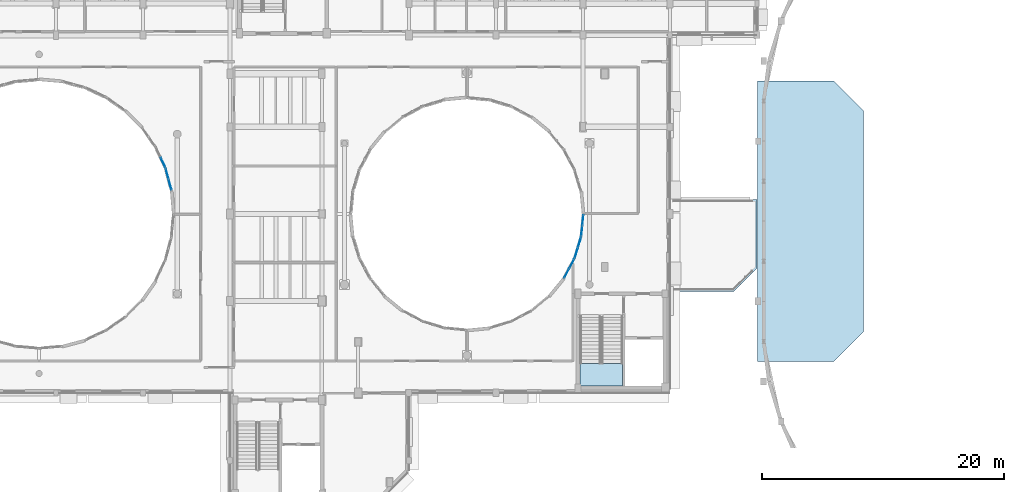
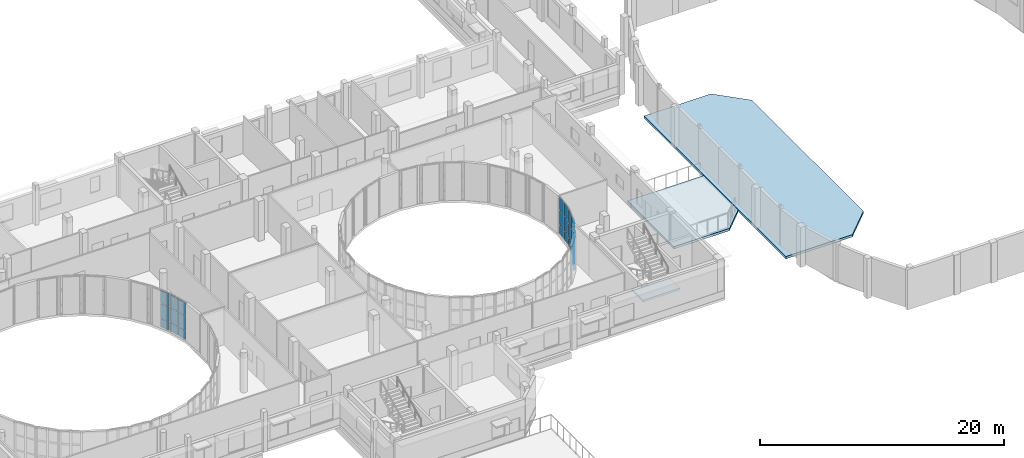
# One storey, part 60 of 89: 27 plates, 3 slabs, 6 elements without a shape of their own.
"""IFC4 building model written with IfcOpenShell, lengths in metres."""

from ifc_helpers import new_model, si_unit, direction, frame, origin, origin_2d, place, context, subcontext, project, spatial, polyline, rectangle, outline, extrude, material, layer, layer_set, type_object, element, aggregate, save


model = new_model("IFC4")

# Units and contexts
model_context = context("Model", 3, precision=1e-05, world=origin(), true_north=direction((0.0, 1.0)))
body_context = subcontext(model_context, "Body", "Model", "MODEL_VIEW")
ifc_project = project(units=[si_unit("LENGTHUNIT", "METRE"), si_unit("AREAUNIT", "SQUARE_METRE"), si_unit("VOLUMEUNIT", "CUBIC_METRE"), si_unit("PLANEANGLEUNIT", "RADIAN"), si_unit("MASSUNIT", "GRAM", prefix="KILO")], contexts=[model_context])

# Site, building, storey
site_placement = place(None, origin())
site = spatial("IfcSite", under=ifc_project, at=site_placement, CompositionType="ELEMENT")
building_placement = place(site_placement, origin())
building = spatial("IfcBuilding", under=site, at=building_placement, Name="Kelanivale Promenade Academy", CompositionType="ELEMENT")
storey_placement = place(building_placement, frame((0.0, 0.0, 12.199951171875)))
storey = spatial("IfcBuildingStorey", under=building, at=storey_placement, Name="L03", CompositionType="ELEMENT", Elevation=12.199951171875)

# Curtain wall, plates
ifc_material_1 = material(Name="Bronze anodised aluminium and solar-control low-E glass", Category="aluminium")
ifc_layer_1 = layer(ifc_material_1, 0.169921875)
ifc_layer_set_1 = layer_set([ifc_layer_1], Name="Bronze anodised aluminium and solar-control low-E glass")
curtain_wall_type_1 = type_object("IfcCurtainWallType", Name="CW-10 Curtain Wall 1800mm Module", PredefinedType="USERDEFINED", material=ifc_layer_set_1)
curtain_wall_1_placement = place(storey_placement, origin())
curtain_wall_1 = element("IfcCurtainWall", 1, at=curtain_wall_1_placement, inside=storey, type_object=curtain_wall_type_1, Name="L03 courtyard curtain wall CW-10", ObjectType="UNITISED GLAZING", PredefinedType="USERDEFINED")
ifc_material_2 = material(Name="Solar-control double glazing 28 mm", Category="glass")
ifc_layer_2 = layer(ifc_material_2, 0.028076171875)
ifc_layer_set_2 = layer_set([ifc_layer_2], Name="Solar-control double glazing 28 mm")
plate_type_1 = type_object("IfcPlateType", Name="CWP-01 Plate 28mm", PredefinedType="CURTAIN_PANEL", material=ifc_layer_set_2)
plate_1_placement = place(storey_placement, frame((108.302978515625, 55.407470703125, 0.05029296875), z_axis=(0.0, 0.0, 1.0), x_axis=(0.098538762159, 0.99513321337, 0.0)))
plate_1 = element("IfcPlate", 2, at=plate_1_placement, type_object=plate_type_1, Name="CW-10 panel 1.1", PredefinedType="CURTAIN_PANEL", context=body_context, shape_type="SweptSolid", body=[
    extrude(rectangle(XDim=0.83349609375, YDim=0.028076171875, at=origin_2d()), origin(), (0.0, 0.0, 1.0), 0.824951171875),
])
plate_2_placement = place(storey_placement, frame((108.302978515625, 55.407470703125, 0.92529296875), z_axis=(0.0, 0.0, 1.0), x_axis=(0.098538762159, 0.99513321337, 0.0)))
plate_2 = element("IfcPlate", 3, at=plate_2_placement, type_object=plate_type_1, Name="CW-10 panel 1.2", PredefinedType="CURTAIN_PANEL", context=body_context, shape_type="SweptSolid", body=[
    extrude(rectangle(XDim=0.83349609375, YDim=0.028076171875, at=origin_2d()), origin(), (0.0, 0.0, 1.0), 1.449951171875),
])
plate_3_placement = place(storey_placement, frame((108.302978515625, 55.407470703125, 2.42529296875), z_axis=(0.0, 0.0, 1.0), x_axis=(0.098538762159, 0.99513321337, 0.0)))
plate_3 = element("IfcPlate", 4, at=plate_3_placement, type_object=plate_type_1, Name="CW-10 panel 1.3", PredefinedType="CURTAIN_PANEL", context=body_context, shape_type="SweptSolid", body=[
    extrude(rectangle(XDim=0.83349609375, YDim=0.028076171875, at=origin_2d()), origin(), (0.0, 0.0, 1.0), 1.304931640625),
])
plate_4_placement = place(storey_placement, frame((108.39111328125, 56.296630859375, 0.05029296875), z_axis=(0.0, 0.0, 1.0), x_axis=(0.098538762159, 0.99513321337, 0.0)))
plate_4 = element("IfcPlate", 5, at=plate_4_placement, type_object=plate_type_1, Name="CW-10 panel 2.1", PredefinedType="CURTAIN_PANEL", context=body_context, shape_type="SweptSolid", body=[
    extrude(rectangle(XDim=0.83349609375, YDim=0.028076171875, at=origin_2d()), origin(), (0.0, 0.0, 1.0), 0.824951171875),
])
plate_5_placement = place(storey_placement, frame((108.39111328125, 56.296630859375, 0.92529296875), z_axis=(0.0, 0.0, 1.0), x_axis=(0.098538762159, 0.99513321337, 0.0)))
plate_5 = element("IfcPlate", 6, at=plate_5_placement, type_object=plate_type_1, Name="CW-10 panel 2.2", PredefinedType="CURTAIN_PANEL", context=body_context, shape_type="SweptSolid", body=[
    extrude(rectangle(XDim=0.83349609375, YDim=0.028076171875, at=origin_2d()), origin(), (0.0, 0.0, 1.0), 1.449951171875),
])
plate_6_placement = place(storey_placement, frame((108.39111328125, 56.296630859375, 2.42529296875), z_axis=(0.0, 0.0, 1.0), x_axis=(0.098538762159, 0.99513321337, 0.0)))
plate_6 = element("IfcPlate", 7, at=plate_6_placement, type_object=plate_type_1, Name="CW-10 panel 2.3", PredefinedType="CURTAIN_PANEL", context=body_context, shape_type="SweptSolid", body=[
    extrude(rectangle(XDim=0.83349609375, YDim=0.028076171875, at=origin_2d()), origin(), (0.0, 0.0, 1.0), 1.304931640625),
])
aggregate(curtain_wall_1, [plate_1, plate_2, plate_3, plate_4, plate_5, plate_6])

ifc_layer_3 = layer(ifc_material_1, 0.179931640625)
ifc_layer_set_3 = layer_set([ifc_layer_3], Name="Bronze anodised aluminium and solar-control low-E glass")
curtain_wall_type_2 = type_object("IfcCurtainWallType", Name="CW-08 Curtain Wall 1500mm Module", PredefinedType="USERDEFINED", material=ifc_layer_set_3)
curtain_wall_2_placement = place(storey_placement, origin())
curtain_wall_2 = element("IfcCurtainWall", 8, at=curtain_wall_2_placement, inside=storey, type_object=curtain_wall_type_2, Name="L03 courtyard curtain wall CW-08", ObjectType="UNITISED GLAZING", PredefinedType="USERDEFINED")
ifc_material_3 = material(Name="Acoustic laminated double glazing 36 mm", Category="glass")
ifc_layer_4 = layer(ifc_material_3, 0.035888671875)
ifc_layer_set_4 = layer_set([ifc_layer_4], Name="Acoustic laminated double glazing 36 mm")
plate_type_2 = type_object("IfcPlateType", Name="CWP-02 Plate 36mm", PredefinedType="CURTAIN_PANEL", material=ifc_layer_set_4)
plate_7_placement = place(storey_placement, frame((107.054443359375, 51.890869140625, 0.06005859375), z_axis=(0.0, 0.0, 1.0), x_axis=(0.471290193914, 0.881978204448, 0.0)))
plate_7 = element("IfcPlate", 9, at=plate_7_placement, type_object=plate_type_2, Name="CW-08 panel 1.1", PredefinedType="CURTAIN_PANEL", context=body_context, shape_type="SweptSolid", body=[
    extrude(rectangle(XDim=0.82666015625, YDim=0.035888671875, at=origin_2d()), origin(), (0.0, 0.0, 1.0), 0.81005859375),
])
plate_8_placement = place(storey_placement, frame((107.054443359375, 51.890869140625, 0.93017578125), z_axis=(0.0, 0.0, 1.0), x_axis=(0.471290193914, 0.881978204448, 0.0)))
plate_8 = element("IfcPlate", 10, at=plate_8_placement, type_object=plate_type_2, Name="CW-08 panel 1.2", PredefinedType="CURTAIN_PANEL", context=body_context, shape_type="SweptSolid", body=[
    extrude(rectangle(XDim=0.82666015625, YDim=0.035888671875, at=origin_2d()), origin(), (0.0, 0.0, 1.0), 1.43994140625),
])
plate_9_placement = place(storey_placement, frame((107.054443359375, 51.890869140625, 2.429931640625), z_axis=(0.0, 0.0, 1.0), x_axis=(0.471290193914, 0.881978204448, 0.0)))
plate_9 = element("IfcPlate", 11, at=plate_9_placement, type_object=plate_type_2, Name="CW-08 panel 1.3", PredefinedType="CURTAIN_PANEL", context=body_context, shape_type="SweptSolid", body=[
    extrude(rectangle(XDim=0.82666015625, YDim=0.035888671875, at=origin_2d()), origin(), (0.0, 0.0, 1.0), 1.2900390625),
])
plate_10_placement = place(storey_placement, frame((107.474609375, 52.67724609375, 0.06005859375), z_axis=(0.0, 0.0, 1.0), x_axis=(0.471290193914, 0.881978204448, 0.0)))
plate_10 = element("IfcPlate", 12, at=plate_10_placement, type_object=plate_type_2, Name="CW-08 panel 2.1", PredefinedType="CURTAIN_PANEL", context=body_context, shape_type="SweptSolid", body=[
    extrude(rectangle(XDim=0.82666015625, YDim=0.035888671875, at=origin_2d()), origin(), (0.0, 0.0, 1.0), 0.81005859375),
])
plate_11_placement = place(storey_placement, frame((107.474609375, 52.67724609375, 0.93017578125), z_axis=(0.0, 0.0, 1.0), x_axis=(0.471290193914, 0.881978204448, 0.0)))
plate_11 = element("IfcPlate", 13, at=plate_11_placement, type_object=plate_type_2, Name="CW-08 panel 2.2", PredefinedType="CURTAIN_PANEL", context=body_context, shape_type="SweptSolid", body=[
    extrude(rectangle(XDim=0.82666015625, YDim=0.035888671875, at=origin_2d()), origin(), (0.0, 0.0, 1.0), 1.43994140625),
])
plate_12_placement = place(storey_placement, frame((107.474609375, 52.67724609375, 2.429931640625), z_axis=(0.0, 0.0, 1.0), x_axis=(0.471290193914, 0.881978204448, 0.0)))
plate_12 = element("IfcPlate", 14, at=plate_12_placement, type_object=plate_type_2, Name="CW-08 panel 2.3", PredefinedType="CURTAIN_PANEL", context=body_context, shape_type="SweptSolid", body=[
    extrude(rectangle(XDim=0.82666015625, YDim=0.035888671875, at=origin_2d()), origin(), (0.0, 0.0, 1.0), 1.2900390625),
])
aggregate(curtain_wall_2, [plate_7, plate_8, plate_9, plate_10, plate_11, plate_12])

ifc_layer_5 = layer(ifc_material_1, 0.179931640625)
ifc_layer_set_5 = layer_set([ifc_layer_5], Name="Bronze anodised aluminium and solar-control low-E glass")
curtain_wall_type_3 = type_object("IfcCurtainWallType", Name="CW-11 Curtain Wall 1950mm Module", PredefinedType="USERDEFINED", material=ifc_layer_set_5)
curtain_wall_3_placement = place(storey_placement, origin())
curtain_wall_3 = element("IfcCurtainWall", 15, at=curtain_wall_3_placement, inside=storey, type_object=curtain_wall_type_3, Name="L03 courtyard curtain wall CW-11", ObjectType="UNITISED GLAZING", PredefinedType="USERDEFINED")
plate_13_placement = place(storey_placement, frame((74.23681640625, 59.235107421875, 0.05029296875), z_axis=(0.0, 0.0, 1.0), x_axis=(-0.258578458902, 0.965990259056, 0.0)))
plate_13 = element("IfcPlate", 16, at=plate_13_placement, type_object=plate_type_2, Name="CW-11 panel 1.1", PredefinedType="CURTAIN_PANEL", context=body_context, shape_type="SweptSolid", body=[
    extrude(rectangle(XDim=0.853759765625, YDim=0.035888671875, at=origin_2d()), origin(), (0.0, 0.0, 1.0), 0.824951171875),
])
plate_14_placement = place(storey_placement, frame((74.23681640625, 59.235107421875, 0.92529296875), z_axis=(0.0, 0.0, 1.0), x_axis=(-0.258578458902, 0.965990259056, 0.0)))
plate_14 = element("IfcPlate", 17, at=plate_14_placement, type_object=plate_type_2, Name="CW-11 panel 1.2", PredefinedType="CURTAIN_PANEL", context=body_context, shape_type="SweptSolid", body=[
    extrude(rectangle(XDim=0.853759765625, YDim=0.035888671875, at=origin_2d()), origin(), (0.0, 0.0, 1.0), 1.449951171875),
])
plate_15_placement = place(storey_placement, frame((74.23681640625, 59.235107421875, 2.42529296875), z_axis=(0.0, 0.0, 1.0), x_axis=(-0.258578458902, 0.965990259056, 0.0)))
plate_15 = element("IfcPlate", 18, at=plate_15_placement, type_object=plate_type_2, Name="CW-11 panel 1.3", PredefinedType="CURTAIN_PANEL", context=body_context, shape_type="SweptSolid", body=[
    extrude(rectangle(XDim=0.853759765625, YDim=0.035888671875, at=origin_2d()), origin(), (0.0, 0.0, 1.0), 1.304931640625),
])
plate_16_placement = place(storey_placement, frame((73.999267578125, 60.122802734375, 0.05029296875), z_axis=(0.0, 0.0, 1.0), x_axis=(-0.258578458902, 0.965990259056, 0.0)))
plate_16 = element("IfcPlate", 19, at=plate_16_placement, type_object=plate_type_2, Name="CW-11 panel 2.1", PredefinedType="CURTAIN_PANEL", context=body_context, shape_type="SweptSolid", body=[
    extrude(rectangle(XDim=0.853759765625, YDim=0.035888671875, at=origin_2d()), origin(), (0.0, 0.0, 1.0), 0.824951171875),
])
plate_17_placement = place(storey_placement, frame((73.999267578125, 60.122802734375, 0.92529296875), z_axis=(0.0, 0.0, 1.0), x_axis=(-0.258578458902, 0.965990259056, 0.0)))
plate_17 = element("IfcPlate", 20, at=plate_17_placement, type_object=plate_type_2, Name="CW-11 panel 2.2", PredefinedType="CURTAIN_PANEL", context=body_context, shape_type="SweptSolid", body=[
    extrude(rectangle(XDim=0.853759765625, YDim=0.035888671875, at=origin_2d()), origin(), (0.0, 0.0, 1.0), 1.449951171875),
])
plate_18_placement = place(storey_placement, frame((73.999267578125, 60.122802734375, 2.42529296875), z_axis=(0.0, 0.0, 1.0), x_axis=(-0.258578458902, 0.965990259056, 0.0)))
plate_18 = element("IfcPlate", 21, at=plate_18_placement, type_object=plate_type_2, Name="CW-11 panel 2.3", PredefinedType="CURTAIN_PANEL", context=body_context, shape_type="SweptSolid", body=[
    extrude(rectangle(XDim=0.853759765625, YDim=0.035888671875, at=origin_2d()), origin(), (0.0, 0.0, 1.0), 1.304931640625),
])
aggregate(curtain_wall_3, [plate_13, plate_14, plate_15, plate_16, plate_17, plate_18])

ifc_layer_6 = layer(ifc_material_1, 0.159912109375)
ifc_layer_set_6 = layer_set([ifc_layer_6], Name="Bronze anodised aluminium and solar-control low-E glass")
curtain_wall_type_4 = type_object("IfcCurtainWallType", Name="CW-09 Curtain Wall 1650mm Module", PredefinedType="USERDEFINED", material=ifc_layer_set_6)
curtain_wall_4_placement = place(storey_placement, origin())
curtain_wall_4 = element("IfcCurtainWall", 22, at=curtain_wall_4_placement, inside=storey, type_object=curtain_wall_type_4, Name="L03 courtyard curtain wall CW-09", ObjectType="UNITISED GLAZING", PredefinedType="USERDEFINED")
ifc_material_4 = material(Name="Insulated bronze aluminium spandrel panel 44 mm", Category="aluminium")
ifc_layer_7 = layer(ifc_material_4, 0.0439453125)
ifc_layer_set_7 = layer_set([ifc_layer_7], Name="Insulated bronze aluminium spandrel panel 44 mm")
plate_type_3 = type_object("IfcPlateType", Name="CWP-03 Plate 44mm", PredefinedType="CURTAIN_PANEL", material=ifc_layer_set_7)
plate_19_placement = place(storey_placement, frame((107.850341796875, 53.583740234375, 0.05029296875), z_axis=(0.0, 0.0, 1.0), x_axis=(0.290007395287, 0.957024404432, 0.0)))
plate_19 = element("IfcPlate", 23, at=plate_19_placement, type_object=plate_type_3, Name="CW-09 panel 1.1", PredefinedType="CURTAIN_PANEL", context=body_context, shape_type="SweptSolid", body=[
    extrude(rectangle(XDim=0.841064453125, YDim=0.0439453125, at=origin_2d()), origin(), (0.0, 0.0, 1.0), 0.824951171875),
])
plate_20_placement = place(storey_placement, frame((107.850341796875, 53.583740234375, 0.92529296875), z_axis=(0.0, 0.0, 1.0), x_axis=(0.290007395287, 0.957024404432, 0.0)))
plate_20 = element("IfcPlate", 24, at=plate_20_placement, type_object=plate_type_3, Name="CW-09 panel 1.2", PredefinedType="CURTAIN_PANEL", context=body_context, shape_type="SweptSolid", body=[
    extrude(rectangle(XDim=0.841064453125, YDim=0.0439453125, at=origin_2d()), origin(), (0.0, 0.0, 1.0), 1.449951171875),
])
plate_21_placement = place(storey_placement, frame((107.850341796875, 53.583740234375, 2.42529296875), z_axis=(0.0, 0.0, 1.0), x_axis=(0.290007395287, 0.957024404432, 0.0)))
plate_21 = element("IfcPlate", 25, at=plate_21_placement, type_object=plate_type_3, Name="CW-09 panel 1.3", PredefinedType="CURTAIN_PANEL", context=body_context, shape_type="SweptSolid", body=[
    extrude(rectangle(XDim=0.841064453125, YDim=0.0439453125, at=origin_2d()), origin(), (0.0, 0.0, 1.0), 1.304931640625),
])
plate_22_placement = place(storey_placement, frame((108.111572265625, 54.446044921875, 0.05029296875), z_axis=(0.0, 0.0, 1.0), x_axis=(0.290007395287, 0.957024404432, 0.0)))
plate_22 = element("IfcPlate", 26, at=plate_22_placement, type_object=plate_type_3, Name="CW-09 panel 2.1", PredefinedType="CURTAIN_PANEL", context=body_context, shape_type="SweptSolid", body=[
    extrude(rectangle(XDim=0.841064453125, YDim=0.0439453125, at=origin_2d()), origin(), (0.0, 0.0, 1.0), 0.824951171875),
])
plate_23_placement = place(storey_placement, frame((108.111572265625, 54.446044921875, 0.92529296875), z_axis=(0.0, 0.0, 1.0), x_axis=(0.290007395287, 0.957024404432, 0.0)))
plate_23 = element("IfcPlate", 27, at=plate_23_placement, type_object=plate_type_3, Name="CW-09 panel 2.2", PredefinedType="CURTAIN_PANEL", context=body_context, shape_type="SweptSolid", body=[
    extrude(rectangle(XDim=0.841064453125, YDim=0.0439453125, at=origin_2d()), origin(), (0.0, 0.0, 1.0), 1.449951171875),
])
plate_24_placement = place(storey_placement, frame((108.111572265625, 54.446044921875, 2.42529296875), z_axis=(0.0, 0.0, 1.0), x_axis=(0.290007395287, 0.957024404432, 0.0)))
plate_24 = element("IfcPlate", 28, at=plate_24_placement, type_object=plate_type_3, Name="CW-09 panel 2.3", PredefinedType="CURTAIN_PANEL", context=body_context, shape_type="SweptSolid", body=[
    extrude(rectangle(XDim=0.841064453125, YDim=0.0439453125, at=origin_2d()), origin(), (0.0, 0.0, 1.0), 1.304931640625),
])
aggregate(curtain_wall_4, [plate_19, plate_20, plate_21, plate_22, plate_23, plate_24])

ifc_layer_8 = layer(ifc_material_1, 0.159912109375)
ifc_layer_set_8 = layer_set([ifc_layer_8], Name="Bronze anodised aluminium and solar-control low-E glass")
curtain_wall_type_5 = type_object("IfcCurtainWallType", Name="CW-12 Curtain Wall 1200mm Module", PredefinedType="USERDEFINED", material=ifc_layer_set_8)
curtain_wall_5_placement = place(storey_placement, origin())
curtain_wall_5 = element("IfcCurtainWall", 29, at=curtain_wall_5_placement, inside=storey, type_object=curtain_wall_type_5, Name="L03 courtyard curtain wall CW-12", ObjectType="UNITISED GLAZING", PredefinedType="USERDEFINED")
plate_25_placement = place(storey_placement, frame((73.654296875, 61.0703125, 0.06005859375), z_axis=(0.0, 0.0, 1.0), x_axis=(-0.422856921222, 0.906196460032, 0.0)))
plate_25 = element("IfcPlate", 30, at=plate_25_placement, type_object=plate_type_3, Name="CW-12 panel 1.1", PredefinedType="CURTAIN_PANEL", context=body_context, shape_type="SweptSolid", body=[
    extrude(rectangle(XDim=0.861572265625, YDim=0.0439453125, at=origin_2d()), origin(), (0.0, 0.0, 1.0), 0.81005859375),
])
plate_26_placement = place(storey_placement, frame((73.654296875, 61.0703125, 0.93017578125), z_axis=(0.0, 0.0, 1.0), x_axis=(-0.422856921222, 0.906196460032, 0.0)))
plate_26 = element("IfcPlate", 31, at=plate_26_placement, type_object=plate_type_3, Name="CW-12 panel 1.2", PredefinedType="CURTAIN_PANEL", context=body_context, shape_type="SweptSolid", body=[
    extrude(rectangle(XDim=0.861572265625, YDim=0.0439453125, at=origin_2d()), origin(), (0.0, 0.0, 1.0), 1.43994140625),
])
plate_27_placement = place(storey_placement, frame((73.654296875, 61.0703125, 2.429931640625), z_axis=(0.0, 0.0, 1.0), x_axis=(-0.422856921222, 0.906196460032, 0.0)))
plate_27 = element("IfcPlate", 32, at=plate_27_placement, type_object=plate_type_3, Name="CW-12 panel 1.3", PredefinedType="CURTAIN_PANEL", context=body_context, shape_type="SweptSolid", body=[
    extrude(rectangle(XDim=0.861572265625, YDim=0.0439453125, at=origin_2d()), origin(), (0.0, 0.0, 1.0), 1.2900390625),
])
aggregate(curtain_wall_5, [plate_25, plate_26, plate_27])

# Stair, slab
ifc_material_5 = material(Name="Concrete C35/45", Category="concrete")
stair_type = type_object("IfcStairType", Name="ST-T02 Protected dog-leg upper-storey stair", PredefinedType="HALF_TURN_STAIR", material=ifc_material_5)
stair_placement = place(storey_placement, origin())
stair = element("IfcStair", 33, at=stair_placement, inside=storey, type_object=stair_type, Name="L03 ST-03", PredefinedType="HALF_TURN_STAIR")
ifc_layer_9 = layer(ifc_material_5, 0.199951171875)
ifc_layer_set_9 = layer_set([ifc_layer_9], Name="Concrete C35/45")
slab_type_1 = type_object("IfcSlabType", Name="LS-01 Slab 200mm", PredefinedType="LANDING", material=ifc_layer_set_9)
slab_1_placement = place(storey_placement, frame((0.0, 0.0, 1.800048828125)))
slab_1 = element("IfcSlab", 34, at=slab_1_placement, type_object=slab_type_1, Name="ST-03 landing 1", PredefinedType="LANDING", context=body_context, shape_type="SweptSolid", body=[
    extrude(outline(polyline([(108.1650390625, 44.445068359375), (108.1650390625, 42.56494140625), (111.6650390625, 42.56494140625), (111.6650390625, 44.445068359375), (108.1650390625, 44.445068359375)])), origin(), (0.0, 0.0, 1.0), 0.199951171875),
])
aggregate(stair, [slab_1])

# Slabs
ifc_layer_10 = layer(ifc_material_5, 0.235107421875)
ifc_layer_set_10 = layer_set([ifc_layer_10], Name="Concrete C35/45")
slab_type_2 = type_object("IfcSlabType", Name="PD-01 Slab 235mm", PredefinedType="FLOOR", material=ifc_layer_set_10)
slab_2_placement = place(storey_placement, frame((0.0, 0.0, -0.23486328125)))
element("IfcSlab", 35, at=slab_2_placement, inside=storey, type_object=slab_type_2, Name="Assembly Hall Shoulder Observation Deck", PredefinedType="FLOOR", context=body_context, shape_type="SweptSolid", body=[
    extrude(outline(polyline([(120.87109375, 50.39990234375), (122.800048828125, 52.3291015625), (122.800048828125, 58.0), (115.60009765625, 58.0), (115.60009765625, 50.39990234375), (120.87109375, 50.39990234375)])), origin(), (0.0, 0.0, 1.0), 0.23486328125),
])
ifc_layer_11 = layer(ifc_material_5, 0.239990234375)
ifc_layer_set_11 = layer_set([ifc_layer_11], Name="Concrete C35/45")
slab_type_3 = type_object("IfcSlabType", Name="RS-01 Slab 240mm", PredefinedType="ROOF", material=ifc_layer_set_11)
slab_3_placement = place(storey_placement, frame((0.0, 0.0, -0.239990234375)))
element("IfcSlab", 36, at=slab_3_placement, inside=storey, type_object=slab_type_3, Name="L03 planted roof slab RF-L03-GAL2", PredefinedType="ROOF", context=body_context, shape_type="SweptSolid", body=[
    extrude(outline(polyline([(129.14990234375, 44.60009765625), (131.60009765625, 47.050048828125), (131.60009765625, 65.35009765625), (129.14990234375, 67.800048828125), (122.85009765625, 67.800048828125), (122.85009765625, 44.60009765625), (129.14990234375, 44.60009765625)])), origin(), (0.0, 0.0, 1.0), 0.239990234375),
])

save(model, "model.ifc")
